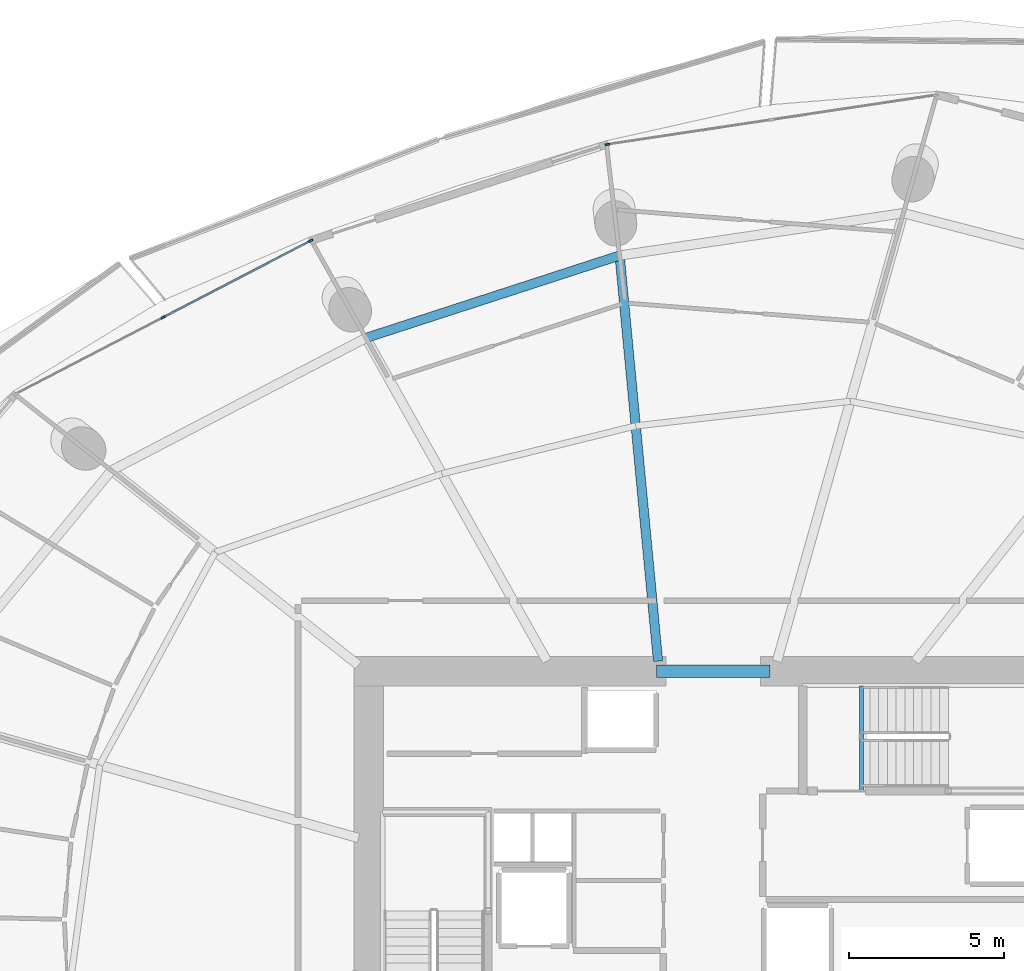
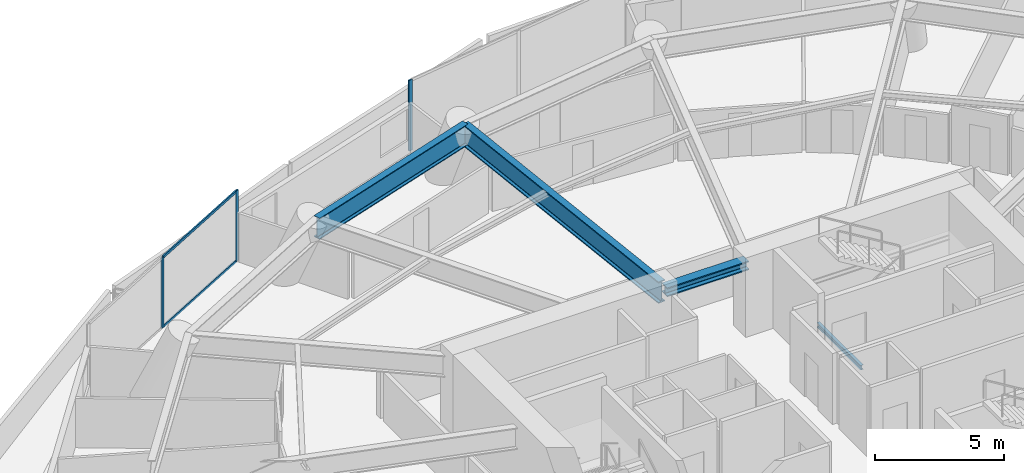
# One storey, part 12 of 31: 5 members, 4 beams, 2 elements without a shape of their own.
"""IFC4 building model written with IfcOpenShell, lengths in metres."""

from ifc_helpers import new_model, si_unit, direction, frame, origin, origin_2d, place, context, subcontext, project, spatial, rectangle, i_section, extrude, material, layer, layer_set, material_profile, profile_set, type_object, element, aggregate, save


model = new_model("IFC4")

# Units and contexts
model_context = context("Model", 3, precision=1e-05, world=origin(), true_north=direction((0.0, 1.0)))
body_context = subcontext(model_context, "Body", "Model", "MODEL_VIEW")
ifc_project = project(units=[si_unit("LENGTHUNIT", "METRE"), si_unit("AREAUNIT", "SQUARE_METRE"), si_unit("VOLUMEUNIT", "CUBIC_METRE"), si_unit("PLANEANGLEUNIT", "RADIAN"), si_unit("MASSUNIT", "GRAM", prefix="KILO")], contexts=[model_context])

# Site, building, storey
site_placement = place(None, origin())
site = spatial("IfcSite", under=ifc_project, at=site_placement, CompositionType="ELEMENT")
building_placement = place(site_placement, origin())
building = spatial("IfcBuilding", under=site, at=building_placement, Name="Kazma Halo Residences", CompositionType="ELEMENT")
storey_placement = place(building_placement, frame((0.0, 0.0, 71.39990234375)))
storey = spatial("IfcBuildingStorey", under=building, at=storey_placement, Name="L17", CompositionType="ELEMENT", Elevation=71.39990234375)

# Beams
ifc_material_1 = material(Name="Steel S355", Category="steel")
ifc_material_profile_1 = material_profile(ifc_material_1, i_section(OverallWidth=0.408935546875, OverallDepth=0.425048828125, WebThickness=0.03271484375, FlangeThickness=0.052490234375, FilletRadius=0.02001953125, at=origin_2d()), Name="W360x421")
ifc_profile_set_1 = profile_set([ifc_material_profile_1], Name="Steel S355")
beam_type_1 = type_object("IfcBeamType", Name="BM-CORE-W360H", PredefinedType="BEAM", material=ifc_profile_set_1)
beam_1_placement = place(storey_placement, frame((46.60009765625, 50.47509765625, 3.1376953125), z_axis=(1.0, 0.0, 0.0), x_axis=(0.0, 1.0, 0.0)))
element("IfcBeam", 1, at=beam_1_placement, inside=storey, type_object=beam_type_1, Name="L17 core coupling beam N", PredefinedType="BEAM", context=body_context, shape_type="SweptSolid", body=[
    extrude(i_section(OverallWidth=0.408935546875, OverallDepth=0.425048828125, WebThickness=0.03271484375, FlangeThickness=0.052490234375, FilletRadius=0.02001953125, at=origin_2d()), origin(), (0.0, 0.0, 1.0), 3.64990234375),
])
ifc_material_profile_2 = material_profile(ifc_material_1, i_section(OverallWidth=0.302001953125, OverallDepth=1.01806640625, WebThickness=0.021484375, FlangeThickness=0.049072265625, FilletRadius=0.028076171875, at=origin_2d()), Name="W1000x443")
ifc_profile_set_2 = profile_set([ifc_material_profile_2], Name="Steel S355")
beam_type_2 = type_object("IfcBeamType", Name="BM-TRANS-W1000A", PredefinedType="BEAM", material=ifc_profile_set_2)
beam_2_placement = place(storey_placement, frame((46.64990234375, 50.800048828125, 2.841064453125), z_axis=(-0.094326383026, 0.995541326849, 0.0), x_axis=(-0.995541326849, -0.094326383026, 0.0)))
element("IfcBeam", 2, at=beam_2_placement, inside=storey, type_object=beam_type_2, Name="L17 podium radial transfer girder 04", PredefinedType="BEAM", context=body_context, shape_type="SweptSolid", body=[
    extrude(i_section(OverallWidth=0.302001953125, OverallDepth=1.01806640625, WebThickness=0.021484375, FlangeThickness=0.049072265625, FilletRadius=0.028076171875, at=origin_2d()), origin(), (0.0, 0.0, 1.0), 13.127685546875),
])
ifc_material_profile_3 = material_profile(ifc_material_1, i_section(OverallWidth=0.300048828125, OverallDepth=1.0, WebThickness=0.01904296875, FlangeThickness=0.0400390625, FilletRadius=0.02587890625, at=origin_2d()), Name="W1000x371")
ifc_profile_set_3 = profile_set([ifc_material_profile_3], Name="Steel S355")
beam_type_3 = type_object("IfcBeamType", Name="BM-TRANS-W1000B", PredefinedType="BEAM", material=ifc_profile_set_3)
beam_3_placement = place(storey_placement, frame((45.41162109375, 63.869140625, 2.85009765625), z_axis=(-0.951054111927, -0.30902439416, 0.0), x_axis=(0.30902439416, -0.951054111927, 0.0)))
element("IfcBeam", 3, at=beam_3_placement, inside=storey, type_object=beam_type_3, Name="L17 perimeter ring beam 04", PredefinedType="BEAM", context=body_context, shape_type="SweptSolid", body=[
    extrude(i_section(OverallWidth=0.300048828125, OverallDepth=1.0, WebThickness=0.01904296875, FlangeThickness=0.0400390625, FilletRadius=0.02587890625, at=origin_2d()), origin(), (0.0, 0.0, 1.0), 8.592529296875),
])
ifc_material_profile_4 = material_profile(ifc_material_1, i_section(OverallWidth=0.133056640625, OverallDepth=0.20703125, WebThickness=0.005859375, FlangeThickness=0.00830078125, FilletRadius=0.010009765625, at=origin_2d()), Name="W200x26.6")
ifc_profile_set_4 = profile_set([ifc_material_profile_4], Name="Steel S355")
beam_type_4 = type_object("IfcBeamType", Name="BM-TRIM-W200", PredefinedType="BEAM", material=ifc_profile_set_4)
beam_4_placement = place(storey_placement, frame((53.199951171875, 46.6201171875, -0.510009765625), z_axis=(0.0, 1.0, 0.0), x_axis=(-1.0, 0.0, 0.0)))
element("IfcBeam", 4, at=beam_4_placement, inside=storey, type_object=beam_type_4, Name="L17 ST-02 floor landing support beam", PredefinedType="BEAM", context=body_context, shape_type="SweptSolid", body=[
    extrude(i_section(OverallWidth=0.133056640625, OverallDepth=0.20703125, WebThickness=0.005859375, FlangeThickness=0.00830078125, FilletRadius=0.010009765625, at=origin_2d()), origin(), (0.0, 0.0, 1.0), 3.3798828125),
])

# Curtain wall, member
ifc_material_2 = material(Name="Aluminium AW-6063 T6 and Triple-Silver Low-E Glass", Category="aluminium")
ifc_layer = layer(ifc_material_2, 0.159912109375)
ifc_layer_set = layer_set([ifc_layer], Name="Aluminium AW-6063 T6 and Triple-Silver Low-E Glass")
curtain_wall_type = type_object("IfcCurtainWallType", Name="CW-SYS-2", PredefinedType="NOTDEFINED", material=ifc_layer_set)
curtain_wall_1_placement = place(storey_placement, origin())
curtain_wall_1 = element("IfcCurtainWall", 5, at=curtain_wall_1_placement, inside=storey, type_object=curtain_wall_type, Name="L17 unitised curtain wall B03", PredefinedType="NOTDEFINED")
ifc_material_3 = material(Name="Aluminium AW-6063 T6", Category="aluminium")
ifc_material_profile_5 = material_profile(ifc_material_3, rectangle(XDim=0.06005859375, YDim=0.159912109375, at=origin_2d()), Name="CWM-60x160")
ifc_profile_set_5 = profile_set([ifc_material_profile_5], Name="Aluminium AW-6063 T6")
member_type_1 = type_object("IfcMemberType", Name="CW-SYS-2-MUL", PredefinedType="MULLION", material=ifc_profile_set_5)
member_1_placement = place(storey_placement, frame((45.018310546875, 67.447509765625, 0.0), z_axis=(0.0, 0.0, 1.0), x_axis=(0.148657272805, -0.988888777994, 0.0)))
member_1 = element("IfcMember", 6, at=member_1_placement, type_object=member_type_1, Name="CWS-2 mullion 3", PredefinedType="MULLION", context=body_context, shape_type="SweptSolid", body=[
    extrude(rectangle(XDim=0.06005859375, YDim=0.159912109375, at=origin_2d()), origin(), (0.0, 0.0, 1.0), 3.35009765625),
])
aggregate(curtain_wall_1, [member_1])

# Curtain wall, members
curtain_wall_2_placement = place(storey_placement, origin())
curtain_wall_2 = element("IfcCurtainWall", 7, at=curtain_wall_2_placement, inside=storey, type_object=curtain_wall_type, Name="L17 unitised curtain wall B05", PredefinedType="NOTDEFINED")
member_2_placement = place(storey_placement, frame((35.45458984375, 64.340087890625, 0.0), z_axis=(0.0, 0.0, 1.0), x_axis=(0.460995912628, -0.887402258584, 0.0)))
member_2 = element("IfcMember", 8, at=member_2_placement, type_object=member_type_1, Name="CWS-2 mullion 1", PredefinedType="MULLION", context=body_context, shape_type="SweptSolid", body=[
    extrude(rectangle(XDim=0.06005859375, YDim=0.159912109375, at=origin_2d()), origin(), (0.0, 0.0, 1.0), 3.35009765625),
])
member_3_placement = place(storey_placement, frame((30.7080078125, 61.874267578125, 0.0), z_axis=(0.0, 0.0, 1.0), x_axis=(0.460995912628, -0.887402258584, 0.0)))
member_3 = element("IfcMember", 9, at=member_3_placement, type_object=member_type_1, Name="CWS-2 mullion 2", PredefinedType="MULLION", context=body_context, shape_type="SweptSolid", body=[
    extrude(rectangle(XDim=0.06005859375, YDim=0.159912109375, at=origin_2d()), origin(), (0.0, 0.0, 1.0), 3.35009765625),
])
ifc_material_profile_6 = material_profile(ifc_material_3, rectangle(XDim=0.06005859375, YDim=0.1201171875, at=origin_2d()), Name="CWT-60x120")
ifc_profile_set_6 = profile_set([ifc_material_profile_6], Name="Aluminium AW-6063 T6")
member_type_2 = type_object("IfcMemberType", Name="CW-SYS-2-TRN", PredefinedType="USERDEFINED", material=ifc_profile_set_6)
member_4_placement = place(storey_placement, frame((35.427978515625, 64.326171875, 0.030029296875), z_axis=(-0.887414738583, -0.460971888238, 0.0), x_axis=(0.460971888238, -0.887414738583, 0.0)))
member_4 = element("IfcMember", 10, at=member_4_placement, type_object=member_type_2, Name="CWS-2 transom 1.1", ObjectType="TRANSOM", PredefinedType="USERDEFINED", context=body_context, shape_type="SweptSolid", body=[
    extrude(rectangle(XDim=0.06005859375, YDim=0.1201171875, at=origin_2d()), origin(), (0.0, 0.0, 1.0), 5.288818359375),
])
member_5_placement = place(storey_placement, frame((35.427978515625, 64.326171875, 3.320068359375), z_axis=(-0.887414738583, -0.460971888238, 0.0), x_axis=(0.460971888238, -0.887414738583, 0.0)))
member_5 = element("IfcMember", 11, at=member_5_placement, type_object=member_type_2, Name="CWS-2 transom 1.2", ObjectType="TRANSOM", PredefinedType="USERDEFINED", context=body_context, shape_type="SweptSolid", body=[
    extrude(rectangle(XDim=0.06005859375, YDim=0.1201171875, at=origin_2d()), origin(), (0.0, 0.0, 1.0), 5.288818359375),
])
aggregate(curtain_wall_2, [member_2, member_3, member_4, member_5])

save(model, "model.ifc")
